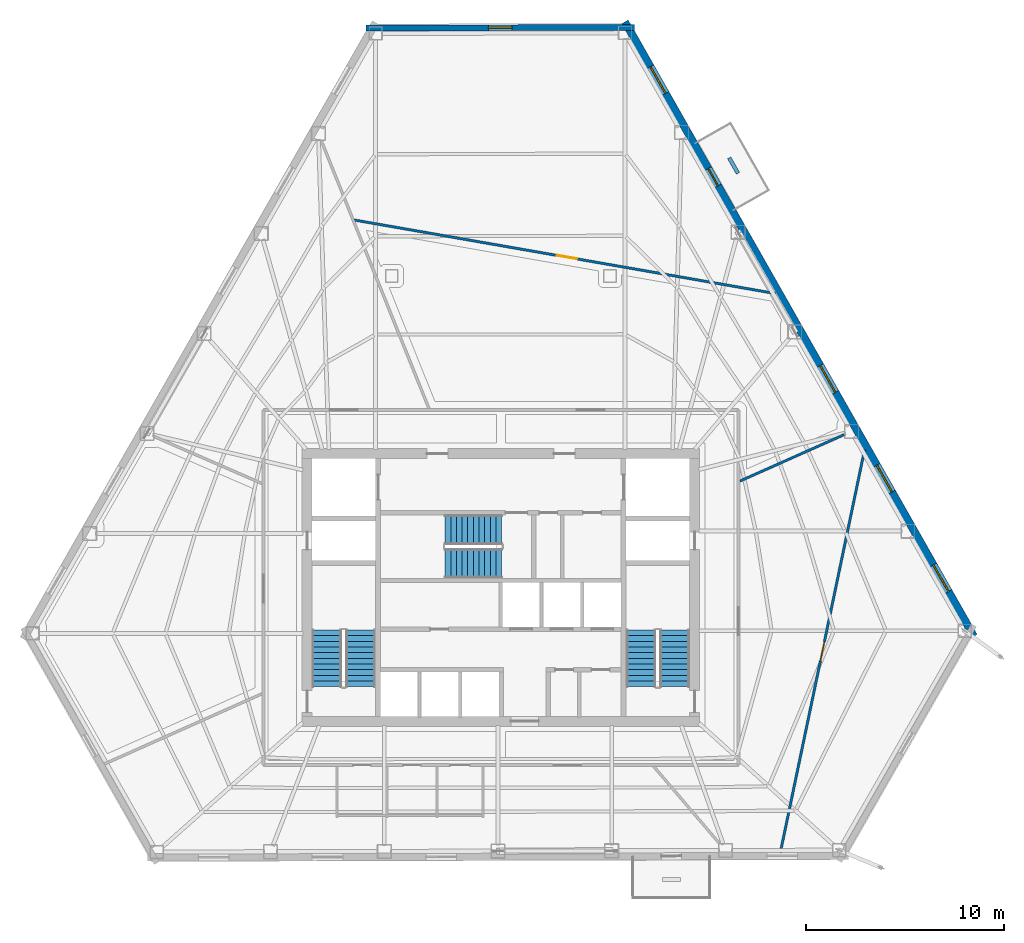
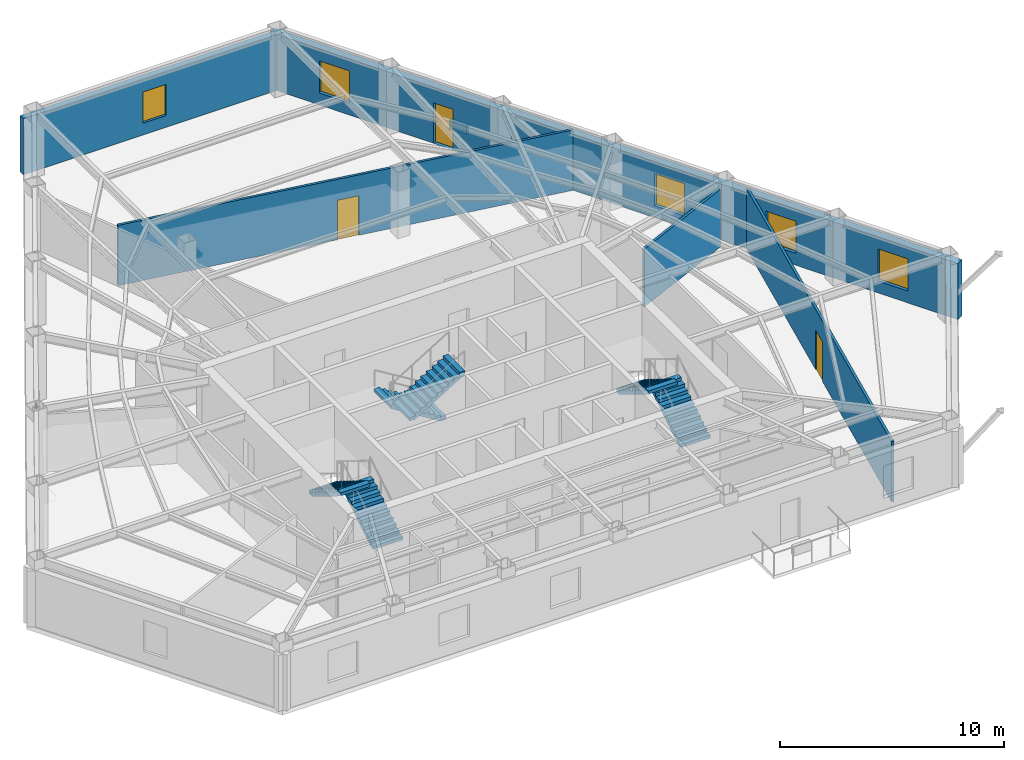
# One storey, part 8 of 11: 6 stair flights, 6 walls, 5 windows, 3 doors, 8 openings, 3 elements without a shape of their own.
"""IFC4 building model written with IfcOpenShell, lengths in metres."""

from ifc_helpers import new_model, si_unit, direction, frame, frame_2d, origin, place, context, subcontext, project, spatial, polyline, rectangle, outline, extrude, material, layer, layer_set, type_object, element, fill, aggregate, save


model = new_model("IFC4")

# Units and contexts
model_context = context("Model", 3, precision=1e-05, world=origin(), true_north=direction((0.0, 1.0)))
body_context = subcontext(model_context, "Body", "Model", "MODEL_VIEW")
ifc_project = project(units=[si_unit("LENGTHUNIT", "METRE"), si_unit("AREAUNIT", "SQUARE_METRE"), si_unit("VOLUMEUNIT", "CUBIC_METRE"), si_unit("PLANEANGLEUNIT", "RADIAN"), si_unit("MASSUNIT", "GRAM", prefix="KILO")], contexts=[model_context])

# Site, building, storey
site_placement = place(None, origin())
site = spatial("IfcSite", under=ifc_project, at=site_placement, CompositionType="ELEMENT")
building_placement = place(site_placement, origin())
building = spatial("IfcBuilding", under=site, at=building_placement, Name="Kavelnor Concourse Tower", CompositionType="ELEMENT")
storey_placement = place(building_placement, frame((0.0, 0.0, 89.35009765625)))
storey = spatial("IfcBuildingStorey", under=building, at=storey_placement, Name="L22", CompositionType="ELEMENT", Elevation=89.35009765625)

# Wall, opening, window
ifc_material_1 = material(Name="Buff ironspot clay face brick masonry", Category="masonry")
ifc_layer_1 = layer(ifc_material_1, 0.300048828125, Name="Buff ironspot clay face brick masonry")
ifc_layer_set_1 = layer_set([ifc_layer_1], Name="Buff ironspot clay face brick masonry")
wall_type_1 = type_object("IfcWallType", Name="WL-EXT-BUFF-BRICK-FOLD-300", PredefinedType="STANDARD", material=ifc_layer_set_1)
wall_1_placement = place(storey_placement, frame((31.20458984375, 44.292724609375, 0.0), z_axis=(0.0, 0.0, 1.0), x_axis=(0.999996288033, 0.002724687192, 0.0)))
wall_1 = element("IfcWall", 1, at=wall_1_placement, inside=storey, type_object=wall_type_1, Name="L22 Exterior Brick Facade Wall E0", PredefinedType="STANDARD", context=body_context, shape_type="SweptSolid", body=[
    extrude(rectangle(XDim=13.530029296875, YDim=0.300048828125, at=frame_2d((6.76513671875, 0.0))), origin(), (0.0, 0.0, 1.0), 3.058837890625),
])
opening_1_placement = place(wall_1_placement, frame((6.1650390625, 0.0, 0.64990234375)))
opening_1 = element("IfcOpeningElement", 2, at=opening_1_placement, cuts=wall_1, Name="Opening W-05", PredefinedType="OPENING", context=body_context, shape_type="SweptSolid", body=[
    extrude(rectangle(XDim=1.199951171875, YDim=1.699951171875, at=frame_2d((0.60009765625, 0.85009765625))), frame((0.0, 0.16015625, 0.0), z_axis=(0.0, -1.0, 0.0), x_axis=(1.0, 0.0, 0.0)), (0.0, 0.0, 1.0), 0.320068359375),
])
ifc_material_2 = material(Name="Double low-E argon insulated glazing", Category="glass")
window_type_1 = type_object("IfcWindowType", Name="WIN-FOLD-1200", PartitioningType="SINGLE_PANEL", PredefinedType="WINDOW", material=ifc_material_2)
window_1_placement = place(opening_1_placement, origin())
window_1 = element("IfcWindow", 3, at=window_1_placement, inside=storey, type_object=window_type_1, Name="L22 Chamfer-Fold Facet Window C0", OverallHeight=1.699951171875, OverallWidth=1.199951171875, PartitioningType="SINGLE_PANEL", PredefinedType="WINDOW", context=body_context, shape_type="SweptSolid", body=[
    extrude(rectangle(XDim=1.199951171875, YDim=1.699951171875, at=frame_2d((0.60009765625, 0.85009765625))), frame((0.0, 0.030029296875, 0.0), z_axis=(0.0, -1.0, 0.0), x_axis=(1.0, 0.0, 0.0)), (0.0, 0.0, 1.0), 0.06005859375),
])
fill(opening_1, window_1)

# Wall, openings, door, windows
ifc_material_3 = material(Name="Red-ochre clay face brick masonry", Category="masonry")
ifc_layer_2 = layer(ifc_material_3, 0.3798828125, Name="Red-ochre clay face brick masonry")
ifc_layer_set_2 = layer_set([ifc_layer_2], Name="Red-ochre clay face brick masonry")
wall_type_2 = type_object("IfcWallType", Name="WL-EXT-RED-BRICK-PIER-380", PredefinedType="STANDARD", material=ifc_layer_set_2)
wall_2_placement = place(storey_placement, frame((44.252685546875, 44.609130859375, 0.0), z_axis=(0.0, 0.0, 1.0), x_axis=(0.493917790196, -0.869508606356, 0.0)))
wall_2 = element("IfcWall", 4, at=wall_2_placement, inside=storey, type_object=wall_type_2, Name="L22 Exterior Brick Facade Wall E5", PredefinedType="STANDARD", context=body_context, shape_type="SweptSolid", body=[
    extrude(rectangle(XDim=35.620361328125, YDim=0.3798828125, at=frame_2d((17.81005859375, 0.0))), origin(), (0.0, 0.0, 1.0), 3.058837890625),
])
opening_2_placement = place(wall_2_placement, frame((8.505126953125, 0.0, 0.0)))
opening_2 = element("IfcOpeningElement", 5, at=opening_2_placement, cuts=wall_2, Name="Opening BD-100", PredefinedType="OPENING", context=body_context, shape_type="SweptSolid", body=[
    extrude(rectangle(XDim=1.0, YDim=2.199951171875, at=frame_2d((0.5, 1.10009765625))), frame((0.0, 0.199951171875, 0.0), z_axis=(0.0, -1.0, 0.0), x_axis=(1.0, 0.0, 0.0)), (0.0, 0.0, 1.0), 0.39990234375),
])
opening_3_placement = place(wall_2_placement, frame((31.48291015625, 0.0, 0.64990234375)))
opening_3 = element("IfcOpeningElement", 6, at=opening_3_placement, cuts=wall_2, Name="Opening W-02", PredefinedType="OPENING", context=body_context, shape_type="SweptSolid", body=[
    extrude(rectangle(XDim=1.550048828125, YDim=1.75, at=frame_2d((0.77490234375, 0.875))), frame((0.0, 0.199951171875, 0.0), z_axis=(0.0, -1.0, 0.0), x_axis=(1.0, 0.0, 0.0)), (0.0, 0.0, 1.0), 0.39990234375),
])
opening_4_placement = place(wall_2_placement, frame((25.705078125, 0.0, 0.64990234375)))
opening_4 = element("IfcOpeningElement", 7, at=opening_4_placement, cuts=wall_2, Name="Opening W-02", PredefinedType="OPENING", context=body_context, shape_type="SweptSolid", body=[
    extrude(rectangle(XDim=1.550048828125, YDim=1.75, at=frame_2d((0.77490234375, 0.875))), frame((0.0, 0.199951171875, 0.0), z_axis=(0.0, -1.0, 0.0), x_axis=(1.0, 0.0, 0.0)), (0.0, 0.0, 1.0), 0.39990234375),
])
opening_5_placement = place(wall_2_placement, frame((19.927490234375, 0.0, 0.64990234375)))
opening_5 = element("IfcOpeningElement", 8, at=opening_5_placement, cuts=wall_2, Name="Opening W-02", PredefinedType="OPENING", context=body_context, shape_type="SweptSolid", body=[
    extrude(rectangle(XDim=1.550048828125, YDim=1.75, at=frame_2d((0.77490234375, 0.875))), frame((0.0, 0.199951171875, 0.0), z_axis=(0.0, -1.0, 0.0), x_axis=(1.0, 0.0, 0.0)), (0.0, 0.0, 1.0), 0.39990234375),
])
opening_6_placement = place(wall_2_placement, frame((2.59423828125, 0.0, 0.64990234375)))
opening_6 = element("IfcOpeningElement", 9, at=opening_6_placement, cuts=wall_2, Name="Opening W-02", PredefinedType="OPENING", context=body_context, shape_type="SweptSolid", body=[
    extrude(rectangle(XDim=1.550048828125, YDim=1.75, at=frame_2d((0.77490234375, 0.875))), frame((0.0, 0.199951171875, 0.0), z_axis=(0.0, -1.0, 0.0), x_axis=(1.0, 0.0, 0.0)), (0.0, 0.0, 1.0), 0.39990234375),
])
ifc_material_4 = material(Name="Anodised aluminium 6063-T6", Category="aluminium")
door_type_1 = type_object("IfcDoorType", Name="DR-BALCONY-EXT-1000", OperationType="NOTDEFINED", PredefinedType="DOOR", material=ifc_material_4)
door_1_placement = place(opening_2_placement, origin())
door_1 = element("IfcDoor", 10, at=door_1_placement, inside=storey, type_object=door_type_1, Name="L22 Tree Balcony 2 Glazed Door", OperationType="SINGLE_SWING_RIGHT", OverallHeight=2.199951171875, OverallWidth=1.0, PredefinedType="DOOR", context=body_context, shape_type="SweptSolid", body=[
    extrude(rectangle(XDim=1.0, YDim=2.199951171875, at=frame_2d((0.5, 1.10009765625))), frame((0.0, 0.02490234375, 0.0), z_axis=(0.0, -1.0, 0.0), x_axis=(1.0, 0.0, 0.0)), (0.0, 0.0, 1.0), 0.050048828125),
])
fill(opening_2, door_1)
window_type_2 = type_object("IfcWindowType", Name="WIN-PIER-Z2-1650", PartitioningType="SINGLE_PANEL", PredefinedType="WINDOW", material=ifc_material_2)
window_2_placement = place(opening_3_placement, origin())
window_2 = element("IfcWindow", 11, at=window_2_placement, inside=storey, type_object=window_type_2, Name="L22 Deep-Set Brick Pier Window F2-B0", OverallHeight=1.75, OverallWidth=1.550048828125, PartitioningType="SINGLE_PANEL", PredefinedType="WINDOW", context=body_context, shape_type="SweptSolid", body=[
    extrude(rectangle(XDim=1.550048828125, YDim=1.75, at=frame_2d((0.77490234375, 0.875))), frame((0.0, 0.030029296875, 0.0), z_axis=(0.0, -1.0, 0.0), x_axis=(1.0, 0.0, 0.0)), (0.0, 0.0, 1.0), 0.06005859375),
])
fill(opening_3, window_2)
window_3_placement = place(opening_4_placement, origin())
window_3 = element("IfcWindow", 12, at=window_3_placement, inside=storey, type_object=window_type_2, Name="L22 Deep-Set Brick Pier Window F2-B1", OverallHeight=1.75, OverallWidth=1.550048828125, PartitioningType="SINGLE_PANEL", PredefinedType="WINDOW", context=body_context, shape_type="SweptSolid", body=[
    extrude(rectangle(XDim=1.550048828125, YDim=1.75, at=frame_2d((0.77490234375, 0.875))), frame((0.0, 0.030029296875, 0.0), z_axis=(0.0, -1.0, 0.0), x_axis=(1.0, 0.0, 0.0)), (0.0, 0.0, 1.0), 0.06005859375),
])
fill(opening_4, window_3)
window_4_placement = place(opening_5_placement, origin())
window_4 = element("IfcWindow", 13, at=window_4_placement, inside=storey, type_object=window_type_2, Name="L22 Deep-Set Brick Pier Window F2-B2", OverallHeight=1.75, OverallWidth=1.550048828125, PartitioningType="SINGLE_PANEL", PredefinedType="WINDOW", context=body_context, shape_type="SweptSolid", body=[
    extrude(rectangle(XDim=1.550048828125, YDim=1.75, at=frame_2d((0.77490234375, 0.875))), frame((0.0, 0.030029296875, 0.0), z_axis=(0.0, -1.0, 0.0), x_axis=(1.0, 0.0, 0.0)), (0.0, 0.0, 1.0), 0.06005859375),
])
fill(opening_5, window_4)
window_5_placement = place(opening_6_placement, origin())
window_5 = element("IfcWindow", 14, at=window_5_placement, inside=storey, type_object=window_type_2, Name="L22 Deep-Set Brick Pier Window F2-B5", OverallHeight=1.75, OverallWidth=1.550048828125, PartitioningType="SINGLE_PANEL", PredefinedType="WINDOW", context=body_context, shape_type="SweptSolid", body=[
    extrude(rectangle(XDim=1.550048828125, YDim=1.75, at=frame_2d((0.77490234375, 0.875))), frame((0.0, 0.030029296875, 0.0), z_axis=(0.0, -1.0, 0.0), x_axis=(1.0, 0.0, 0.0)), (0.0, 0.0, 1.0), 0.06005859375),
])
fill(opening_6, window_5)

# Wall
ifc_material_5 = material(Name="Gypsum plasterboard on light-gauge steel studs", Category="steel")
ifc_layer_3 = layer(ifc_material_5, 0.125, Name="Gypsum plasterboard on light-gauge steel studs")
ifc_layer_set_3 = layer_set([ifc_layer_3], Name="Gypsum plasterboard on light-gauge steel studs")
wall_type_3 = type_object("IfcWallType", Name="WL-INT-SUITE-125", PredefinedType="PARTITIONING", material=ifc_layer_set_3)
wall_3_placement = place(storey_placement, frame((50.050537109375, 21.46240234375, 0.0), z_axis=(0.0, 0.0, 1.0), x_axis=(0.913638062083, 0.406528586341, 0.0)))
element("IfcWall", 15, at=wall_3_placement, inside=storey, type_object=wall_type_3, Name="L22 Radial Suite Partition 01", PredefinedType="PARTITIONING", context=body_context, shape_type="SweptSolid", body=[
    extrude(rectangle(XDim=5.747802734375, YDim=0.125, at=frame_2d((2.8740234375, 0.0))), origin(), (0.0, 0.0, 1.0), 3.140869140625),
])

# Wall, opening, door
wall_4_placement = place(storey_placement, frame((51.86181640625, 30.910400390625, 0.0), z_axis=(0.0, 0.0, 1.0), x_axis=(-0.98509938317, 0.17198606129, 0.0)))
wall_4 = element("IfcWall", 16, at=wall_4_placement, inside=storey, type_object=wall_type_3, Name="L22 Suite Subdivision Partition 01", PredefinedType="PARTITIONING", context=body_context, shape_type="SweptSolid", body=[
    extrude(rectangle(XDim=21.615234375, YDim=0.125, at=frame_2d((10.8076171875, 0.0))), origin(), (0.0, 0.0, 1.0), 3.287841796875),
])
opening_7_placement = place(wall_4_placement, frame((10.175537109375, 0.0, 0.0)))
opening_7 = element("IfcOpeningElement", 17, at=opening_7_placement, cuts=wall_4, Name="Opening MD-102", PredefinedType="OPENING", context=body_context, shape_type="SweptSolid", body=[
    extrude(rectangle(XDim=1.02001953125, YDim=2.14990234375, at=frame_2d((0.510009765625, 1.074951171875))), frame((0.0, 0.072509765625, 0.0), z_axis=(0.0, -1.0, 0.0), x_axis=(1.0, 0.0, 0.0)), (0.0, 0.0, 1.0), 0.14501953125),
])
ifc_material_6 = material(Name="Acoustic glazed timber frame", Category="wood")
door_type_2 = type_object("IfcDoorType", Name="DR-MEETING-1020", OperationType="NOTDEFINED", PredefinedType="DOOR", material=ifc_material_6)
door_2_placement = place(opening_7_placement, origin())
door_2 = element("IfcDoor", 18, at=door_2_placement, inside=storey, type_object=door_type_2, Name="L22 Client Boardroom 02 Door", OperationType="SINGLE_SWING_LEFT", OverallHeight=2.14990234375, OverallWidth=1.02001953125, PredefinedType="DOOR", context=body_context, shape_type="SweptSolid", body=[
    extrude(rectangle(XDim=1.02001953125, YDim=2.14990234375, at=frame_2d((0.510009765625, 1.074951171875))), frame((0.0, 0.02490234375, 0.0), z_axis=(0.0, -1.0, 0.0), x_axis=(1.0, 0.0, 0.0)), (0.0, 0.0, 1.0), 0.050048828125),
])
fill(opening_7, door_2)

wall_5_placement = place(storey_placement, frame((52.08447265625, 2.726806640625, 0.0), z_axis=(0.0, 0.0, 1.0), x_axis=(0.204797093971, 0.978804449469, 0.0)))
wall_5 = element("IfcWall", 19, at=wall_5_placement, inside=storey, type_object=wall_type_3, Name="L22 Suite Subdivision Partition 05", PredefinedType="PARTITIONING", context=body_context, shape_type="SweptSolid", body=[
    extrude(rectangle(XDim=20.749755859375, YDim=0.125, at=frame_2d((10.375, 0.0))), origin(), (0.0, 0.0, 1.0), 3.287841796875),
])
opening_8_placement = place(wall_5_placement, frame((9.885009765625, 0.0, 0.0)))
opening_8 = element("IfcOpeningElement", 20, at=opening_8_placement, cuts=wall_5, Name="Opening OD-098", PredefinedType="OPENING", context=body_context, shape_type="SweptSolid", body=[
    extrude(rectangle(XDim=0.97998046875, YDim=2.14990234375, at=frame_2d((0.489990234375, 1.074951171875))), frame((0.0, 0.072509765625, 0.0), z_axis=(0.0, -1.0, 0.0), x_axis=(1.0, 0.0, 0.0)), (0.0, 0.0, 1.0), 0.14501953125),
])
ifc_material_7 = material(Name="Solid-core hardwood timber", Category="wood")
door_type_3 = type_object("IfcDoorType", Name="DR-OFFICE-980", OperationType="NOTDEFINED", PredefinedType="DOOR", material=ifc_material_7)
door_3_placement = place(opening_8_placement, origin())
door_3 = element("IfcDoor", 21, at=door_3_placement, inside=storey, type_object=door_type_3, Name="L22 Tenant Bookstore Retail Shop 07 Door", OperationType="SINGLE_SWING_RIGHT", OverallHeight=2.14990234375, OverallWidth=0.97998046875, PredefinedType="DOOR", context=body_context, shape_type="SweptSolid", body=[
    extrude(rectangle(XDim=0.97998046875, YDim=2.14990234375, at=frame_2d((0.489990234375, 1.074951171875))), frame((0.0, 0.02490234375, 0.0), z_axis=(0.0, -1.0, 0.0), x_axis=(1.0, 0.0, 0.0)), (0.0, 0.0, 1.0), 0.050048828125),
])
fill(opening_8, door_3)

# Wall
ifc_material_8 = material(Name="Architectural precast planter concrete C40/50", Category="concrete")
ifc_layer_4 = layer(ifc_material_8, 0.18994140625, Name="Architectural precast planter concrete C40/50")
ifc_layer_set_4 = layer_set([ifc_layer_4], Name="Architectural precast planter concrete C40/50")
wall_type_4 = type_object("IfcWallType", Name="WL-PLANTER-KERB-190", PredefinedType="USERDEFINED", material=ifc_layer_set_4)
wall_6_placement = place(storey_placement, frame((49.953125, 36.97314453125, 0.0), z_axis=(0.0, 0.0, 1.0), x_axis=(-0.494004746762, 0.869459205585, 0.0)))
element("IfcWall", 22, at=wall_6_placement, inside=storey, type_object=wall_type_4, Name="L22 Tree Balcony 2 Tree Planter Kerb", ObjectType="PLANTER", PredefinedType="USERDEFINED", context=body_context, shape_type="SweptSolid", body=[
    extrude(rectangle(XDim=0.89990234375, YDim=0.18994140625, at=frame_2d((0.449951171875, 0.0))), origin(), (0.0, 0.0, 1.0), 0.5),
])

# Stair, stair flights
ifc_material_9 = material(Name="Concrete C40/50", Category="concrete")
stair_type = type_object("IfcStairType", Name="STR-CORE-1500", PredefinedType="HALF_TURN_STAIR", material=ifc_material_9)
stair_1_placement = place(storey_placement, origin())
stair_1 = element("IfcStair", 23, at=stair_1_placement, inside=storey, type_object=stair_type, Name="L22 ST1", PredefinedType="HALF_TURN_STAIR")
stair_flight_type = type_object("IfcStairFlightType", Name="STR-FLIGHT-1500", PredefinedType="STRAIGHT", material=ifc_material_9)
stair_flight_1_placement = place(storey_placement, frame((30.929931640625, 11.10009765625, 0.0), z_axis=(0.0, 0.0, 1.0), x_axis=(0.0, 1.0, 0.0)))
stair_flight_1 = element("IfcStairFlight", 24, at=stair_flight_1_placement, type_object=stair_flight_type, Name="ST1 flight 1", NumberOfRisers=11, NumberOfTreads=10, PredefinedType="STRAIGHT", RiserHeight=0.175, TreadLength=0.285, context=body_context, shape_type="SweptSolid", body=[
    extrude(outline(polyline([(0.0, 0.0), (0.0, 0.175048828125), (0.284912109375, 0.175048828125), (0.284912109375, 0.35009765625), (0.570068359375, 0.35009765625), (0.570068359375, 0.52490234375), (0.85498046875, 0.52490234375), (0.85498046875, 0.699951171875), (1.139892578125, 0.699951171875), (1.139892578125, 0.875), (1.425048828125, 0.875), (1.425048828125, 1.050048828125), (1.7099609375, 1.050048828125), (1.7099609375, 1.22509765625), (1.9951171875, 1.22509765625), (1.9951171875, 1.39990234375), (2.280029296875, 1.39990234375), (2.280029296875, 1.574951171875), (2.56494140625, 1.574951171875), (2.56494140625, 1.75), (2.85009765625, 1.75), (2.85009765625, 1.925048828125), (2.85009765625, 1.573974609375), (0.286376953125, 0.0), (0.0, 0.0)])), frame((0.0, 0.75, 0.0), z_axis=(0.0, -1.0, 0.0), x_axis=(1.0, 0.0, 0.0)), (0.0, 0.0, 1.0), 1.5),
])
stair_flight_2_placement = place(storey_placement, frame((29.22998046875, 13.949951171875, 1.9248046875), z_axis=(0.0, 0.0, 1.0), x_axis=(0.0, -1.0, 0.0)))
stair_flight_2 = element("IfcStairFlight", 25, at=stair_flight_2_placement, type_object=stair_flight_type, Name="ST1 flight 2", NumberOfRisers=11, NumberOfTreads=10, PredefinedType="STRAIGHT", RiserHeight=0.175, TreadLength=0.285, context=body_context, shape_type="SweptSolid", body=[
    extrude(outline(polyline([(0.0, 0.0), (0.0, 0.175048828125), (0.284912109375, 0.175048828125), (0.284912109375, 0.35009765625), (0.570068359375, 0.35009765625), (0.570068359375, 0.52490234375), (0.85498046875, 0.52490234375), (0.85498046875, 0.699951171875), (1.139892578125, 0.699951171875), (1.139892578125, 0.875), (1.425048828125, 0.875), (1.425048828125, 1.050048828125), (1.7099609375, 1.050048828125), (1.7099609375, 1.22509765625), (1.9951171875, 1.22509765625), (1.9951171875, 1.39990234375), (2.280029296875, 1.39990234375), (2.280029296875, 1.574951171875), (2.56494140625, 1.574951171875), (2.56494140625, 1.75), (2.85009765625, 1.75), (2.85009765625, 1.925048828125), (2.85009765625, 1.573974609375), (0.286376953125, 0.0), (0.0, 0.0)])), frame((0.0, 0.75, 0.0), z_axis=(0.0, -1.0, 0.0), x_axis=(1.0, 0.0, 0.0)), (0.0, 0.0, 1.0), 1.5),
])
aggregate(stair_1, [stair_flight_1, stair_flight_2])

stair_2_placement = place(storey_placement, origin())
stair_2 = element("IfcStair", 26, at=stair_2_placement, inside=storey, type_object=stair_type, Name="L22 ST2", PredefinedType="HALF_TURN_STAIR")
stair_flight_3_placement = place(storey_placement, frame((46.77001953125, 11.10009765625, 0.0), z_axis=(0.0, 0.0, 1.0), x_axis=(0.0, 1.0, 0.0)))
stair_flight_3 = element("IfcStairFlight", 27, at=stair_flight_3_placement, type_object=stair_flight_type, Name="ST2 flight 1", NumberOfRisers=11, NumberOfTreads=10, PredefinedType="STRAIGHT", RiserHeight=0.175, TreadLength=0.285, context=body_context, shape_type="SweptSolid", body=[
    extrude(outline(polyline([(0.0, 0.0), (0.0, 0.175048828125), (0.284912109375, 0.175048828125), (0.284912109375, 0.35009765625), (0.570068359375, 0.35009765625), (0.570068359375, 0.52490234375), (0.85498046875, 0.52490234375), (0.85498046875, 0.699951171875), (1.139892578125, 0.699951171875), (1.139892578125, 0.875), (1.425048828125, 0.875), (1.425048828125, 1.050048828125), (1.7099609375, 1.050048828125), (1.7099609375, 1.22509765625), (1.9951171875, 1.22509765625), (1.9951171875, 1.39990234375), (2.280029296875, 1.39990234375), (2.280029296875, 1.574951171875), (2.56494140625, 1.574951171875), (2.56494140625, 1.75), (2.85009765625, 1.75), (2.85009765625, 1.925048828125), (2.85009765625, 1.573974609375), (0.286376953125, 0.0), (0.0, 0.0)])), frame((0.0, 0.75, 0.0), z_axis=(0.0, -1.0, 0.0), x_axis=(1.0, 0.0, 0.0)), (0.0, 0.0, 1.0), 1.5),
])
stair_flight_4_placement = place(storey_placement, frame((45.070068359375, 13.949951171875, 1.9248046875), z_axis=(0.0, 0.0, 1.0), x_axis=(0.0, -1.0, 0.0)))
stair_flight_4 = element("IfcStairFlight", 28, at=stair_flight_4_placement, type_object=stair_flight_type, Name="ST2 flight 2", NumberOfRisers=11, NumberOfTreads=10, PredefinedType="STRAIGHT", RiserHeight=0.175, TreadLength=0.285, context=body_context, shape_type="SweptSolid", body=[
    extrude(outline(polyline([(0.0, 0.0), (0.0, 0.175048828125), (0.284912109375, 0.175048828125), (0.284912109375, 0.35009765625), (0.570068359375, 0.35009765625), (0.570068359375, 0.52490234375), (0.85498046875, 0.52490234375), (0.85498046875, 0.699951171875), (1.139892578125, 0.699951171875), (1.139892578125, 0.875), (1.425048828125, 0.875), (1.425048828125, 1.050048828125), (1.7099609375, 1.050048828125), (1.7099609375, 1.22509765625), (1.9951171875, 1.22509765625), (1.9951171875, 1.39990234375), (2.280029296875, 1.39990234375), (2.280029296875, 1.574951171875), (2.56494140625, 1.574951171875), (2.56494140625, 1.75), (2.85009765625, 1.75), (2.85009765625, 1.925048828125), (2.85009765625, 1.573974609375), (0.286376953125, 0.0), (0.0, 0.0)])), frame((0.0, 0.75, 0.0), z_axis=(0.0, -1.0, 0.0), x_axis=(1.0, 0.0, 0.0)), (0.0, 0.0, 1.0), 1.5),
])
aggregate(stair_2, [stair_flight_3, stair_flight_4])

stair_3_placement = place(storey_placement, origin())
stair_3 = element("IfcStair", 29, at=stair_3_placement, inside=storey, type_object=stair_type, Name="L22 ST3", PredefinedType="HALF_TURN_STAIR")
stair_flight_5_placement = place(storey_placement, frame((38.0400390625, 19.010009765625, 0.0), z_axis=(0.0, 0.0, 1.0), x_axis=(-1.0, 0.0, 0.0)))
stair_flight_5 = element("IfcStairFlight", 30, at=stair_flight_5_placement, type_object=stair_flight_type, Name="ST3 flight 1", NumberOfRisers=11, NumberOfTreads=10, PredefinedType="STRAIGHT", RiserHeight=0.175, TreadLength=0.285, context=body_context, shape_type="SweptSolid", body=[
    extrude(outline(polyline([(0.0, 0.0), (0.0, 0.175048828125), (0.284912109375, 0.175048828125), (0.284912109375, 0.35009765625), (0.570068359375, 0.35009765625), (0.570068359375, 0.52490234375), (0.85498046875, 0.52490234375), (0.85498046875, 0.699951171875), (1.139892578125, 0.699951171875), (1.139892578125, 0.875), (1.425048828125, 0.875), (1.425048828125, 1.050048828125), (1.7099609375, 1.050048828125), (1.7099609375, 1.22509765625), (1.9951171875, 1.22509765625), (1.9951171875, 1.39990234375), (2.280029296875, 1.39990234375), (2.280029296875, 1.574951171875), (2.56494140625, 1.574951171875), (2.56494140625, 1.75), (2.85009765625, 1.75), (2.85009765625, 1.925048828125), (2.85009765625, 1.573974609375), (0.286376953125, 0.0), (0.0, 0.0)])), frame((0.0, 0.75, 0.0), z_axis=(0.0, -1.0, 0.0), x_axis=(1.0, 0.0, 0.0)), (0.0, 0.0, 1.0), 1.5),
])
stair_flight_6_placement = place(storey_placement, frame((35.18994140625, 17.31005859375, 1.9248046875), z_axis=(0.0, 0.0, 1.0), x_axis=(1.0, 0.0, 0.0)))
stair_flight_6 = element("IfcStairFlight", 31, at=stair_flight_6_placement, type_object=stair_flight_type, Name="ST3 flight 2", NumberOfRisers=11, NumberOfTreads=10, PredefinedType="STRAIGHT", RiserHeight=0.175, TreadLength=0.285, context=body_context, shape_type="SweptSolid", body=[
    extrude(outline(polyline([(0.0, 0.0), (0.0, 0.175048828125), (0.284912109375, 0.175048828125), (0.284912109375, 0.35009765625), (0.570068359375, 0.35009765625), (0.570068359375, 0.52490234375), (0.85498046875, 0.52490234375), (0.85498046875, 0.699951171875), (1.139892578125, 0.699951171875), (1.139892578125, 0.875), (1.425048828125, 0.875), (1.425048828125, 1.050048828125), (1.7099609375, 1.050048828125), (1.7099609375, 1.22509765625), (1.9951171875, 1.22509765625), (1.9951171875, 1.39990234375), (2.280029296875, 1.39990234375), (2.280029296875, 1.574951171875), (2.56494140625, 1.574951171875), (2.56494140625, 1.75), (2.85009765625, 1.75), (2.85009765625, 1.925048828125), (2.85009765625, 1.573974609375), (0.286376953125, 0.0), (0.0, 0.0)])), frame((0.0, 0.75, 0.0), z_axis=(0.0, -1.0, 0.0), x_axis=(1.0, 0.0, 0.0)), (0.0, 0.0, 1.0), 1.5),
])
aggregate(stair_3, [stair_flight_5, stair_flight_6])

save(model, "model.ifc")
